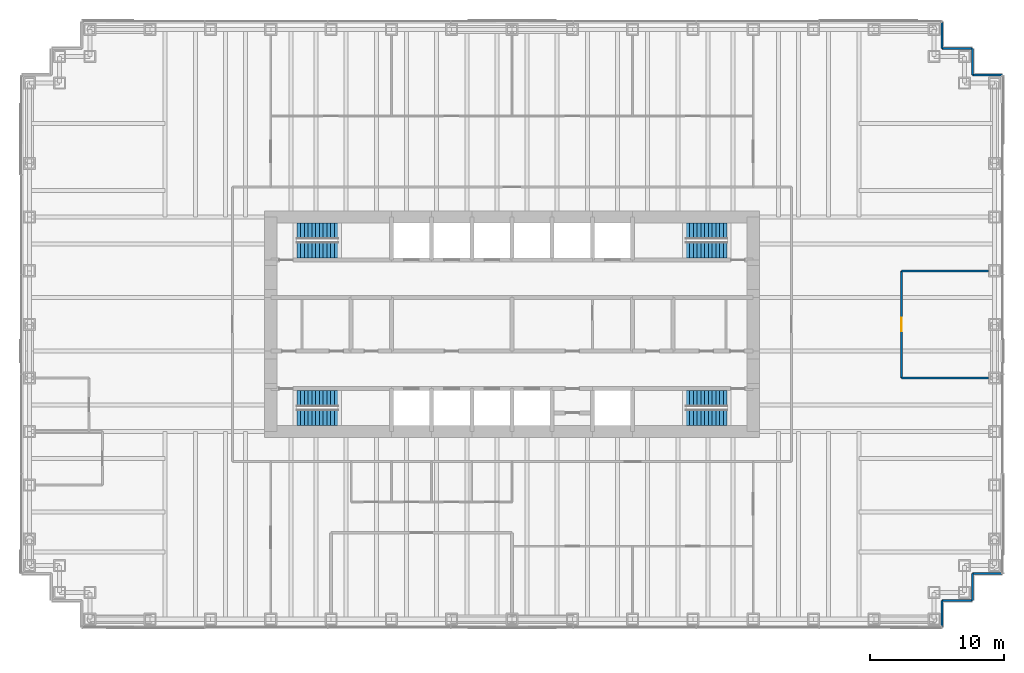
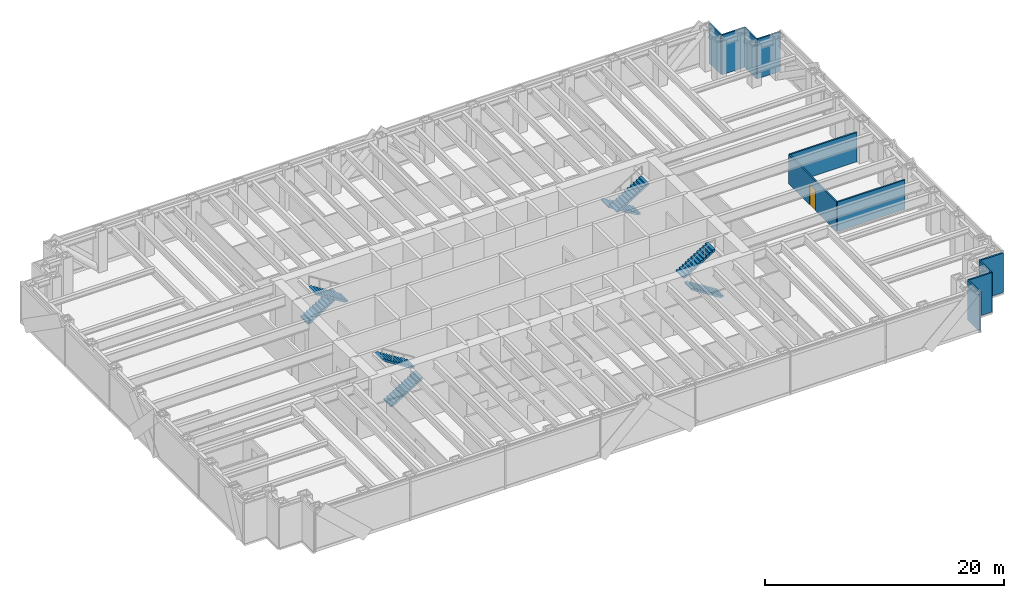
# One storey, part 16 of 17: 11 walls, 8 stair flights, 1 door, 1 opening, 4 elements without a shape of their own.
"""IFC4 building model written with IfcOpenShell, lengths in metres."""

from ifc_helpers import new_model, si_unit, direction, frame, frame_2d, origin, place, context, subcontext, project, spatial, polyline, rectangle, outline, extrude, material, layer, layer_set, type_object, element, fill, aggregate, save


model = new_model("IFC4")

# Units and contexts
model_context = context("Model", 3, precision=1e-05, world=origin(), true_north=direction((0.0, 1.0)))
body_context = subcontext(model_context, "Body", "Model", "MODEL_VIEW")
ifc_project = project(units=[si_unit("LENGTHUNIT", "METRE"), si_unit("AREAUNIT", "SQUARE_METRE"), si_unit("VOLUMEUNIT", "CUBIC_METRE"), si_unit("PLANEANGLEUNIT", "RADIAN"), si_unit("MASSUNIT", "GRAM", prefix="KILO")], contexts=[model_context])

# Site, building, storey
site_placement = place(None, origin())
site = spatial("IfcSite", under=ifc_project, at=site_placement, CompositionType="ELEMENT")
building_placement = place(site_placement, origin())
building = spatial("IfcBuilding", under=site, at=building_placement, Name="Rheinbord Bourse Tower", CompositionType="ELEMENT")
storey_placement = place(building_placement, frame((0.0, 0.0, 121.5)))
storey = spatial("IfcBuildingStorey", under=building, at=storey_placement, Name="L26", CompositionType="ELEMENT", Elevation=121.5)

# Walls
ifc_material_1 = material(Name="Black metal rainscreen panel", Category="aluminium")
ifc_layer_1 = layer(ifc_material_1, 0.14990234375)
ifc_layer_set_1 = layer_set([ifc_layer_1], Name="CORNER PIER CLADDING 150")
wall_type_1 = type_object("IfcWallType", Name="CORNER PIER CLADDING 150", PredefinedType="ELEMENTEDWALL", material=ifc_layer_set_1)
wall_1_placement = place(storey_placement, frame((68.10009765625, 1.39990234375, 0.0), z_axis=(0.0, 0.0, 1.0), x_axis=(0.0, 1.0, 0.0)))
element("IfcWall", 1, at=wall_1_placement, inside=storey, type_object=wall_type_1, Name="Corner pier cladding L26 2", PredefinedType="ELEMENTEDWALL", context=body_context, shape_type="SweptSolid", body=[
    extrude(rectangle(XDim=2.0, YDim=0.14990234375, at=frame_2d((1.0, 0.0))), origin(), (0.0, 0.0, 1.0), 4.0400390625),
])
wall_2_placement = place(storey_placement, frame((68.10009765625, 3.39990234375, 0.0), z_axis=(0.0, 0.0, 1.0), x_axis=(1.0, 0.0, 0.0)))
element("IfcWall", 2, at=wall_2_placement, inside=storey, type_object=wall_type_1, Name="Corner pier cladding L26 3", PredefinedType="ELEMENTEDWALL", context=body_context, shape_type="SweptSolid", body=[
    extrude(rectangle(XDim=2.25, YDim=0.14990234375, at=frame_2d((1.125, 0.0))), origin(), (0.0, 0.0, 1.0), 4.0400390625),
])
wall_3_placement = place(storey_placement, frame((70.35009765625, 3.39990234375, 0.0), z_axis=(0.0, 0.0, 1.0), x_axis=(0.0, 1.0, 0.0)))
element("IfcWall", 3, at=wall_3_placement, inside=storey, type_object=wall_type_1, Name="Corner pier cladding L26 4", PredefinedType="ELEMENTEDWALL", context=body_context, shape_type="SweptSolid", body=[
    extrude(rectangle(XDim=2.0, YDim=0.14990234375, at=frame_2d((1.0, 0.0))), origin(), (0.0, 0.0, 1.0), 4.0400390625),
])
for number, where, z_axis, x_axis, name in (
    (4, (70.35009765625, 5.39990234375, 0.0), (0.0, 0.0, 1.0), (1.0, 0.0, 0.0), "Corner pier cladding L26 5"),
    (5, (72.60009765625, 42.60009765625, 0.0), (0.0, 0.0, 1.0), (-1.0, 0.0, 0.0), "Corner pier cladding L26 7"),
):
    element("IfcWall", number, at=place(storey_placement, frame(where, z_axis=z_axis, x_axis=x_axis)), inside=storey, type_object=wall_type_1, Name=name, PredefinedType="ELEMENTEDWALL", context=body_context, shape_type="SweptSolid", body=[
        extrude(rectangle(XDim=2.25, YDim=0.14990234375, at=frame_2d((1.125, 0.0))), origin(), (0.0, 0.0, 1.0), 4.0400390625),
    ])
wall_4_placement = place(storey_placement, frame((70.35009765625, 42.60009765625, 0.0), z_axis=(0.0, 0.0, 1.0), x_axis=(0.0, 1.0, 0.0)))
element("IfcWall", 6, at=wall_4_placement, inside=storey, type_object=wall_type_1, Name="Corner pier cladding L26 8", PredefinedType="ELEMENTEDWALL", context=body_context, shape_type="SweptSolid", body=[
    extrude(rectangle(XDim=2.0, YDim=0.14990234375, at=frame_2d((1.0, 0.0))), origin(), (0.0, 0.0, 1.0), 4.0400390625),
])
wall_5_placement = place(storey_placement, frame((70.35009765625, 44.60009765625, 0.0), z_axis=(0.0, 0.0, 1.0), x_axis=(-1.0, 0.0, 0.0)))
element("IfcWall", 7, at=wall_5_placement, inside=storey, type_object=wall_type_1, Name="Corner pier cladding L26 9", PredefinedType="ELEMENTEDWALL", context=body_context, shape_type="SweptSolid", body=[
    extrude(rectangle(XDim=2.25, YDim=0.14990234375, at=frame_2d((1.125, 0.0))), origin(), (0.0, 0.0, 1.0), 4.0400390625),
])
wall_6_placement = place(storey_placement, frame((68.10009765625, 44.60009765625, 0.0), z_axis=(0.0, 0.0, 1.0), x_axis=(0.0, 1.0, 0.0)))
element("IfcWall", 8, at=wall_6_placement, inside=storey, type_object=wall_type_1, Name="Corner pier cladding L26 10", PredefinedType="ELEMENTEDWALL", context=body_context, shape_type="SweptSolid", body=[
    extrude(rectangle(XDim=2.0, YDim=0.14990234375, at=frame_2d((1.0, 0.0))), origin(), (0.0, 0.0, 1.0), 4.0400390625),
])
ifc_material_2 = material(Name="Gypsum board partition", Category="gypsum board")
ifc_layer_2 = layer(ifc_material_2, 0.14990234375)
ifc_layer_set_2 = layer_set([ifc_layer_2], Name="PARTITION 150")
wall_type_2 = type_object("IfcWallType", Name="PARTITION 150", PredefinedType="PARTITIONING", material=ifc_layer_set_2)
for number, where, z_axis, x_axis, name in (
    (9, (65.050048828125, 20.0, 0.0), (0.0, 0.0, 1.0), (1.0, 0.0, 0.0), "Partition L26-08"),
    (10, (65.050048828125, 28.0, 0.0), (0.0, 0.0, 1.0), (1.0, 0.0, 0.0), "Partition L26-09"),
):
    element("IfcWall", number, at=place(storey_placement, frame(where, z_axis=z_axis, x_axis=x_axis)), inside=storey, type_object=wall_type_2, Name=name, PredefinedType="PARTITIONING", context=body_context, shape_type="SweptSolid", body=[
        extrude(rectangle(XDim=6.5, YDim=0.14990234375, at=frame_2d((3.25, 0.0))), origin(), (0.0, 0.0, 1.0), 3.0),
    ])

# Wall, opening, door
wall_7_placement = place(storey_placement, frame((65.050048828125, 20.0, 0.0), z_axis=(0.0, 0.0, 1.0), x_axis=(0.0, 1.0, 0.0)))
wall_7 = element("IfcWall", 11, at=wall_7_placement, inside=storey, type_object=wall_type_2, Name="Partition L26-31", PredefinedType="PARTITIONING", context=body_context, shape_type="SweptSolid", body=[
    extrude(rectangle(XDim=8.0, YDim=0.14990234375, at=frame_2d((4.0, 0.0))), origin(), (0.0, 0.0, 1.0), 3.0),
])
opening_placement = place(wall_7_placement, frame((3.5, 0.0, 0.0)))
opening = element("IfcOpeningElement", 12, at=opening_placement, cuts=wall_7, Name="Opening 26D10", PredefinedType="OPENING", context=body_context, shape_type="SweptSolid", body=[
    extrude(rectangle(XDim=1.0, YDim=2.10009765625, at=frame_2d((0.5, 1.050048828125))), frame((0.0, 0.0849609375, 0.0), z_axis=(0.0, -1.0, 0.0), x_axis=(1.0, 0.0, 0.0)), (0.0, 0.0, 1.0), 0.169921875),
])
ifc_material_3 = material(Name="Timber door", Category="wood")
door_type = type_object("IfcDoorType", Name="ROOM DOOR 1000", OperationType="SINGLE_SWING_LEFT", PredefinedType="DOOR", material=ifc_material_3)
door_placement = place(opening_placement, origin())
door = element("IfcDoor", 13, at=door_placement, inside=storey, type_object=door_type, Name="Kitchen door L26", OperationType="SINGLE_SWING_LEFT", OverallHeight=2.10009765625, OverallWidth=1.0, PredefinedType="DOOR", context=body_context, shape_type="SweptSolid", body=[
    extrude(rectangle(XDim=1.0, YDim=2.10009765625, at=frame_2d((0.5, 1.050048828125))), frame((0.0, 0.02490234375, 0.0), z_axis=(0.0, -1.0, 0.0), x_axis=(1.0, 0.0, 0.0)), (0.0, 0.0, 1.0), 0.050048828125),
])
fill(opening, door)

# Stair, stair flights
ifc_material_4 = material(Name="Concrete C30/37", Category="concrete")
stair_type = type_object("IfcStairType", Name="CORE STAIR HALF TURN 4200", PredefinedType="HALF_TURN_STAIR", material=ifc_material_4)
stair_1_placement = place(storey_placement, origin())
stair_1 = element("IfcStair", 14, at=stair_1_placement, inside=storey, type_object=stair_type, Name="Stair ST1 L26, type CS6", PredefinedType="HALF_TURN_STAIR")
ifc_material_5 = material(Name="Concrete C30/37", Category="concrete")
stair_flight_type = type_object("IfcStairFlightType", Name="CORE STAIR FLIGHT 1200, 12 RISERS", PredefinedType="STRAIGHT", material=ifc_material_5)
stair_flight_1_placement = place(storey_placement, frame((19.949951171875, 17.050048828125, 0.0), z_axis=(0.0, 0.0, 1.0), x_axis=(1.0, 0.0, 0.0)))
stair_flight_1 = element("IfcStairFlight", 15, at=stair_flight_1_placement, type_object=stair_flight_type, Name="STAIR L26 ST1 F1", NumberOfRisers=12, NumberOfTreads=11, PredefinedType="STRAIGHT", RiserHeight=0.175, TreadLength=0.28, context=body_context, shape_type="SweptSolid", body=[
    extrude(outline(polyline([(0.0, 0.0), (0.0, 0.175048828125), (0.280029296875, 0.175048828125), (0.280029296875, 0.35009765625), (0.56005859375, 0.35009765625), (0.56005859375, 0.52490234375), (0.840087890625, 0.52490234375), (0.840087890625, 0.699951171875), (1.1201171875, 0.699951171875), (1.1201171875, 0.875), (1.39990234375, 0.875), (1.39990234375, 1.050048828125), (1.679931640625, 1.050048828125), (1.679931640625, 1.22509765625), (1.9599609375, 1.22509765625), (1.9599609375, 1.39990234375), (2.239990234375, 1.39990234375), (2.239990234375, 1.574951171875), (2.52001953125, 1.574951171875), (2.52001953125, 1.75), (2.800048828125, 1.75), (2.800048828125, 1.925048828125), (3.080078125, 1.925048828125), (3.080078125, 2.10009765625), (3.080078125, 1.748291015625), (0.28271484375, 0.0), (0.0, 0.0)])), frame((0.0, 0.60009765625, 0.0), z_axis=(0.0, -1.0, 0.0), x_axis=(1.0, 0.0, 0.0)), (0.0, 0.0, 1.0), 1.199951171875),
])
stair_flight_2_placement = place(storey_placement, frame((23.030029296875, 18.449951171875, 2.10009765625), z_axis=(0.0, 0.0, 1.0), x_axis=(-1.0, 0.0, 0.0)))
stair_flight_2 = element("IfcStairFlight", 16, at=stair_flight_2_placement, type_object=stair_flight_type, Name="STAIR L26 ST1 F2", NumberOfRisers=12, NumberOfTreads=11, PredefinedType="STRAIGHT", RiserHeight=0.175, TreadLength=0.28, context=body_context, shape_type="SweptSolid", body=[
    extrude(outline(polyline([(0.0, 0.0), (0.0, 0.175048828125), (0.280029296875, 0.175048828125), (0.280029296875, 0.35009765625), (0.56005859375, 0.35009765625), (0.56005859375, 0.52490234375), (0.840087890625, 0.52490234375), (0.840087890625, 0.699951171875), (1.1201171875, 0.699951171875), (1.1201171875, 0.875), (1.39990234375, 0.875), (1.39990234375, 1.050048828125), (1.679931640625, 1.050048828125), (1.679931640625, 1.22509765625), (1.9599609375, 1.22509765625), (1.9599609375, 1.39990234375), (2.239990234375, 1.39990234375), (2.239990234375, 1.574951171875), (2.52001953125, 1.574951171875), (2.52001953125, 1.75), (2.800048828125, 1.75), (2.800048828125, 1.925048828125), (3.080078125, 1.925048828125), (3.080078125, 2.10009765625), (3.080078125, 1.748291015625), (0.28271484375, 0.0), (0.0, 0.0)])), frame((0.0, 0.60009765625, 0.0), z_axis=(0.0, -1.0, 0.0), x_axis=(1.0, 0.0, 0.0)), (0.0, 0.0, 1.0), 1.199951171875),
])
aggregate(stair_1, [stair_flight_1, stair_flight_2])

stair_2_placement = place(storey_placement, origin())
stair_2 = element("IfcStair", 17, at=stair_2_placement, inside=storey, type_object=stair_type, Name="Stair ST2 L26, type CS6", PredefinedType="HALF_TURN_STAIR")
stair_flight_3_placement = place(storey_placement, frame((19.949951171875, 30.949951171875, 0.0), z_axis=(0.0, 0.0, 1.0), x_axis=(1.0, 0.0, 0.0)))
stair_flight_3 = element("IfcStairFlight", 18, at=stair_flight_3_placement, type_object=stair_flight_type, Name="STAIR L26 ST2 F1", NumberOfRisers=12, NumberOfTreads=11, PredefinedType="STRAIGHT", RiserHeight=0.175, TreadLength=0.28, context=body_context, shape_type="SweptSolid", body=[
    extrude(outline(polyline([(0.0, 0.0), (0.0, 0.175048828125), (0.280029296875, 0.175048828125), (0.280029296875, 0.35009765625), (0.56005859375, 0.35009765625), (0.56005859375, 0.52490234375), (0.840087890625, 0.52490234375), (0.840087890625, 0.699951171875), (1.1201171875, 0.699951171875), (1.1201171875, 0.875), (1.39990234375, 0.875), (1.39990234375, 1.050048828125), (1.679931640625, 1.050048828125), (1.679931640625, 1.22509765625), (1.9599609375, 1.22509765625), (1.9599609375, 1.39990234375), (2.239990234375, 1.39990234375), (2.239990234375, 1.574951171875), (2.52001953125, 1.574951171875), (2.52001953125, 1.75), (2.800048828125, 1.75), (2.800048828125, 1.925048828125), (3.080078125, 1.925048828125), (3.080078125, 2.10009765625), (3.080078125, 1.748291015625), (0.28271484375, 0.0), (0.0, 0.0)])), frame((0.0, 0.60009765625, 0.0), z_axis=(0.0, -1.0, 0.0), x_axis=(1.0, 0.0, 0.0)), (0.0, 0.0, 1.0), 1.199951171875),
])
stair_flight_4_placement = place(storey_placement, frame((23.030029296875, 29.550048828125, 2.10009765625), z_axis=(0.0, 0.0, 1.0), x_axis=(-1.0, 0.0, 0.0)))
stair_flight_4 = element("IfcStairFlight", 19, at=stair_flight_4_placement, type_object=stair_flight_type, Name="STAIR L26 ST2 F2", NumberOfRisers=12, NumberOfTreads=11, PredefinedType="STRAIGHT", RiserHeight=0.175, TreadLength=0.28, context=body_context, shape_type="SweptSolid", body=[
    extrude(outline(polyline([(0.0, 0.0), (0.0, 0.175048828125), (0.280029296875, 0.175048828125), (0.280029296875, 0.35009765625), (0.56005859375, 0.35009765625), (0.56005859375, 0.52490234375), (0.840087890625, 0.52490234375), (0.840087890625, 0.699951171875), (1.1201171875, 0.699951171875), (1.1201171875, 0.875), (1.39990234375, 0.875), (1.39990234375, 1.050048828125), (1.679931640625, 1.050048828125), (1.679931640625, 1.22509765625), (1.9599609375, 1.22509765625), (1.9599609375, 1.39990234375), (2.239990234375, 1.39990234375), (2.239990234375, 1.574951171875), (2.52001953125, 1.574951171875), (2.52001953125, 1.75), (2.800048828125, 1.75), (2.800048828125, 1.925048828125), (3.080078125, 1.925048828125), (3.080078125, 2.10009765625), (3.080078125, 1.748291015625), (0.28271484375, 0.0), (0.0, 0.0)])), frame((0.0, 0.60009765625, 0.0), z_axis=(0.0, -1.0, 0.0), x_axis=(1.0, 0.0, 0.0)), (0.0, 0.0, 1.0), 1.199951171875),
])
aggregate(stair_2, [stair_flight_3, stair_flight_4])

stair_3_placement = place(storey_placement, origin())
stair_3 = element("IfcStair", 20, at=stair_3_placement, inside=storey, type_object=stair_type, Name="Stair ST3 L26, type CS6", PredefinedType="HALF_TURN_STAIR")
stair_flight_5_placement = place(storey_placement, frame((52.050048828125, 17.050048828125, 0.0), z_axis=(0.0, 0.0, 1.0), x_axis=(-1.0, 0.0, 0.0)))
stair_flight_5 = element("IfcStairFlight", 21, at=stair_flight_5_placement, type_object=stair_flight_type, Name="STAIR L26 ST3 F1", NumberOfRisers=12, NumberOfTreads=11, PredefinedType="STRAIGHT", RiserHeight=0.175, TreadLength=0.28, context=body_context, shape_type="SweptSolid", body=[
    extrude(outline(polyline([(0.0, 0.0), (0.0, 0.175048828125), (0.280029296875, 0.175048828125), (0.280029296875, 0.35009765625), (0.56005859375, 0.35009765625), (0.56005859375, 0.52490234375), (0.840087890625, 0.52490234375), (0.840087890625, 0.699951171875), (1.1201171875, 0.699951171875), (1.1201171875, 0.875), (1.39990234375, 0.875), (1.39990234375, 1.050048828125), (1.679931640625, 1.050048828125), (1.679931640625, 1.22509765625), (1.9599609375, 1.22509765625), (1.9599609375, 1.39990234375), (2.239990234375, 1.39990234375), (2.239990234375, 1.574951171875), (2.52001953125, 1.574951171875), (2.52001953125, 1.75), (2.800048828125, 1.75), (2.800048828125, 1.925048828125), (3.080078125, 1.925048828125), (3.080078125, 2.10009765625), (3.080078125, 1.748291015625), (0.28271484375, 0.0), (0.0, 0.0)])), frame((0.0, 0.60009765625, 0.0), z_axis=(0.0, -1.0, 0.0), x_axis=(1.0, 0.0, 0.0)), (0.0, 0.0, 1.0), 1.199951171875),
])
stair_flight_6_placement = place(storey_placement, frame((48.969970703125, 18.449951171875, 2.10009765625), z_axis=(0.0, 0.0, 1.0), x_axis=(1.0, 0.0, 0.0)))
stair_flight_6 = element("IfcStairFlight", 22, at=stair_flight_6_placement, type_object=stair_flight_type, Name="STAIR L26 ST3 F2", NumberOfRisers=12, NumberOfTreads=11, PredefinedType="STRAIGHT", RiserHeight=0.175, TreadLength=0.28, context=body_context, shape_type="SweptSolid", body=[
    extrude(outline(polyline([(0.0, 0.0), (0.0, 0.175048828125), (0.280029296875, 0.175048828125), (0.280029296875, 0.35009765625), (0.56005859375, 0.35009765625), (0.56005859375, 0.52490234375), (0.840087890625, 0.52490234375), (0.840087890625, 0.699951171875), (1.1201171875, 0.699951171875), (1.1201171875, 0.875), (1.39990234375, 0.875), (1.39990234375, 1.050048828125), (1.679931640625, 1.050048828125), (1.679931640625, 1.22509765625), (1.9599609375, 1.22509765625), (1.9599609375, 1.39990234375), (2.239990234375, 1.39990234375), (2.239990234375, 1.574951171875), (2.52001953125, 1.574951171875), (2.52001953125, 1.75), (2.800048828125, 1.75), (2.800048828125, 1.925048828125), (3.080078125, 1.925048828125), (3.080078125, 2.10009765625), (3.080078125, 1.748291015625), (0.28271484375, 0.0), (0.0, 0.0)])), frame((0.0, 0.60009765625, 0.0), z_axis=(0.0, -1.0, 0.0), x_axis=(1.0, 0.0, 0.0)), (0.0, 0.0, 1.0), 1.199951171875),
])
aggregate(stair_3, [stair_flight_5, stair_flight_6])

stair_4_placement = place(storey_placement, origin())
stair_4 = element("IfcStair", 23, at=stair_4_placement, inside=storey, type_object=stair_type, Name="Stair ST4 L26, type CS6", PredefinedType="HALF_TURN_STAIR")
stair_flight_7_placement = place(storey_placement, frame((52.050048828125, 30.949951171875, 0.0), z_axis=(0.0, 0.0, 1.0), x_axis=(-1.0, 0.0, 0.0)))
stair_flight_7 = element("IfcStairFlight", 24, at=stair_flight_7_placement, type_object=stair_flight_type, Name="STAIR L26 ST4 F1", NumberOfRisers=12, NumberOfTreads=11, PredefinedType="STRAIGHT", RiserHeight=0.175, TreadLength=0.28, context=body_context, shape_type="SweptSolid", body=[
    extrude(outline(polyline([(0.0, 0.0), (0.0, 0.175048828125), (0.280029296875, 0.175048828125), (0.280029296875, 0.35009765625), (0.56005859375, 0.35009765625), (0.56005859375, 0.52490234375), (0.840087890625, 0.52490234375), (0.840087890625, 0.699951171875), (1.1201171875, 0.699951171875), (1.1201171875, 0.875), (1.39990234375, 0.875), (1.39990234375, 1.050048828125), (1.679931640625, 1.050048828125), (1.679931640625, 1.22509765625), (1.9599609375, 1.22509765625), (1.9599609375, 1.39990234375), (2.239990234375, 1.39990234375), (2.239990234375, 1.574951171875), (2.52001953125, 1.574951171875), (2.52001953125, 1.75), (2.800048828125, 1.75), (2.800048828125, 1.925048828125), (3.080078125, 1.925048828125), (3.080078125, 2.10009765625), (3.080078125, 1.748291015625), (0.28271484375, 0.0), (0.0, 0.0)])), frame((0.0, 0.60009765625, 0.0), z_axis=(0.0, -1.0, 0.0), x_axis=(1.0, 0.0, 0.0)), (0.0, 0.0, 1.0), 1.199951171875),
])
stair_flight_8_placement = place(storey_placement, frame((48.969970703125, 29.550048828125, 2.10009765625), z_axis=(0.0, 0.0, 1.0), x_axis=(1.0, 0.0, 0.0)))
stair_flight_8 = element("IfcStairFlight", 25, at=stair_flight_8_placement, type_object=stair_flight_type, Name="STAIR L26 ST4 F2", NumberOfRisers=12, NumberOfTreads=11, PredefinedType="STRAIGHT", RiserHeight=0.175, TreadLength=0.28, context=body_context, shape_type="SweptSolid", body=[
    extrude(outline(polyline([(0.0, 0.0), (0.0, 0.175048828125), (0.280029296875, 0.175048828125), (0.280029296875, 0.35009765625), (0.56005859375, 0.35009765625), (0.56005859375, 0.52490234375), (0.840087890625, 0.52490234375), (0.840087890625, 0.699951171875), (1.1201171875, 0.699951171875), (1.1201171875, 0.875), (1.39990234375, 0.875), (1.39990234375, 1.050048828125), (1.679931640625, 1.050048828125), (1.679931640625, 1.22509765625), (1.9599609375, 1.22509765625), (1.9599609375, 1.39990234375), (2.239990234375, 1.39990234375), (2.239990234375, 1.574951171875), (2.52001953125, 1.574951171875), (2.52001953125, 1.75), (2.800048828125, 1.75), (2.800048828125, 1.925048828125), (3.080078125, 1.925048828125), (3.080078125, 2.10009765625), (3.080078125, 1.748291015625), (0.28271484375, 0.0), (0.0, 0.0)])), frame((0.0, 0.60009765625, 0.0), z_axis=(0.0, -1.0, 0.0), x_axis=(1.0, 0.0, 0.0)), (0.0, 0.0, 1.0), 1.199951171875),
])
aggregate(stair_4, [stair_flight_7, stair_flight_8])

save(model, "model.ifc")
